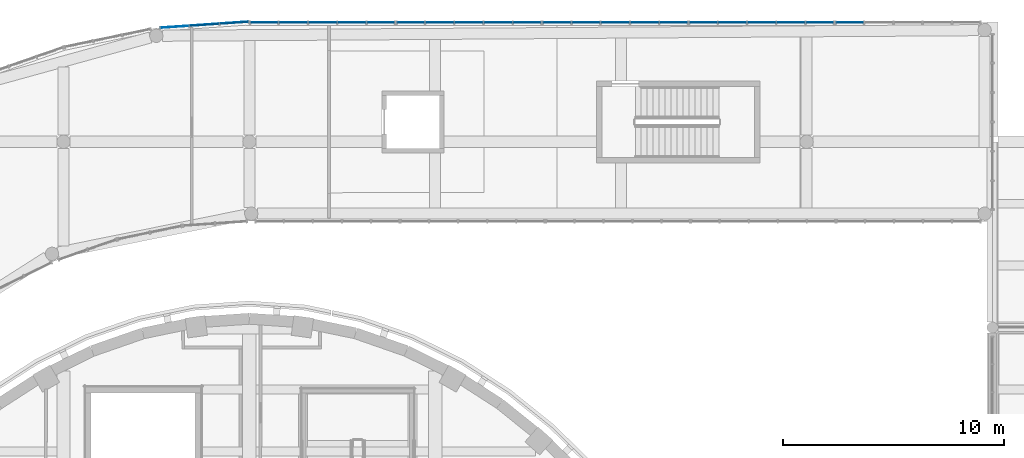
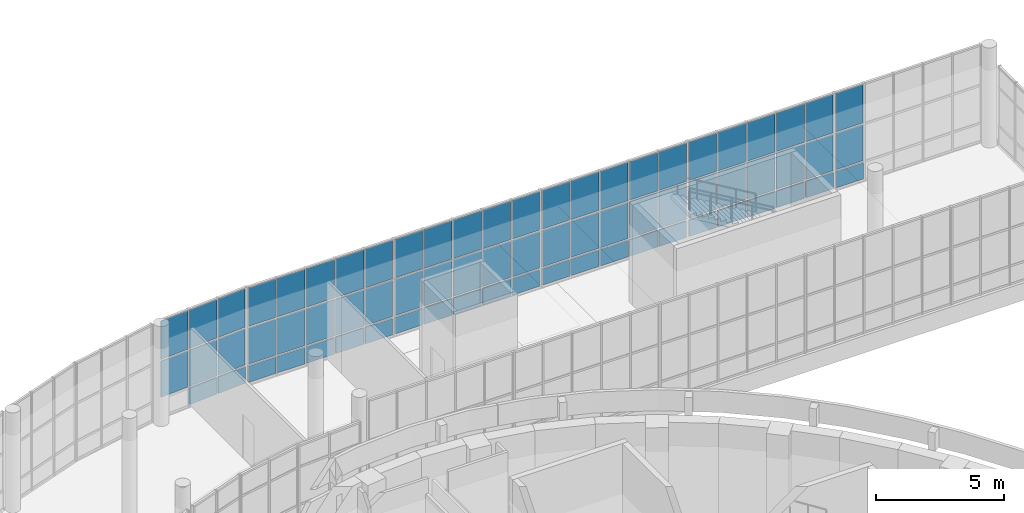
# One storey, part 55 of 119: 71 plates, 6 elements without a shape of their own.
"""IFC4 building model written with IfcOpenShell, lengths in metres."""

from ifc_helpers import new_model, si_unit, direction, frame, origin, origin_2d, place, context, subcontext, project, spatial, rectangle, extrude, material, layer, layer_set, type_object, element, aggregate, save


model = new_model("IFC4")

# Units and contexts
model_context = context("Model", 3, precision=1e-05, world=origin(), true_north=direction((0.0, 1.0)))
body_context = subcontext(model_context, "Body", "Model", "MODEL_VIEW")
ifc_project = project(units=[si_unit("LENGTHUNIT", "METRE"), si_unit("AREAUNIT", "SQUARE_METRE"), si_unit("VOLUMEUNIT", "CUBIC_METRE"), si_unit("PLANEANGLEUNIT", "RADIAN"), si_unit("MASSUNIT", "GRAM", prefix="KILO")], contexts=[model_context])

# Site, building, storey
site_placement = place(None, origin())
site = spatial("IfcSite", under=ifc_project, at=site_placement, CompositionType="ELEMENT")
building_placement = place(site_placement, origin())
building = spatial("IfcBuilding", under=site, at=building_placement, Name="Larchfold Concert Hall", CompositionType="ELEMENT")
storey_placement = place(building_placement, frame((0.0, 0.0, 4.800048828125)))
storey = spatial("IfcBuildingStorey", under=building, at=storey_placement, Name="L01", CompositionType="ELEMENT", Elevation=4.800048828125)

# Curtain wall, plates
ifc_material_1 = material(Name="Anodised graphite aluminium curtain wall", Category="aluminium")
ifc_layer_1 = layer(ifc_material_1, 0.14990234375)
ifc_layer_set_1 = layer_set([ifc_layer_1], Name="Anodised graphite aluminium curtain wall")
curtain_wall_type = type_object("IfcCurtainWallType", Name="Curtain wall WG", PredefinedType="NOTDEFINED", material=ifc_layer_set_1)
curtain_wall_1_placement = place(storey_placement, origin())
curtain_wall_1 = element("IfcCurtainWall", 1, at=curtain_wall_1_placement, inside=storey, type_object=curtain_wall_type, Name="Curtain wall CW0172", PredefinedType="NOTDEFINED")
ifc_material_2 = material(Name="Insulated glazing unit, glass", Category="glass")
ifc_layer_2 = layer(ifc_material_2, 0.028076171875)
ifc_layer_set_2 = layer_set([ifc_layer_2], Name="Insulated glazing unit, glass")
plate_type_1 = type_object("IfcPlateType", Name="Glass panel 28", PredefinedType="CURTAIN_PANEL", material=ifc_layer_set_2)
plate_1_placement = place(storey_placement, frame((69.7509765625, 132.0, 0.93994140625), z_axis=(0.0, 0.0, 1.0), x_axis=(-1.0, 0.0, 0.0)))
plate_1 = element("IfcPlate", 2, at=plate_1_placement, type_object=plate_type_1, Name="CW0172 panel 5.2", PredefinedType="CURTAIN_PANEL", context=body_context, shape_type="SweptSolid", body=[
    extrude(rectangle(XDim=1.233642578125, YDim=0.028076171875, at=origin_2d()), origin(), (0.0, 0.0, 1.0), 1.719970703125),
])
plate_2_placement = place(storey_placement, frame((69.7509765625, 132.0, 2.740234375), z_axis=(0.0, 0.0, 1.0), x_axis=(-1.0, 0.0, 0.0)))
plate_2 = element("IfcPlate", 3, at=plate_2_placement, type_object=plate_type_1, Name="CW0172 panel 5.3", PredefinedType="CURTAIN_PANEL", context=body_context, shape_type="SweptSolid", body=[
    extrude(rectangle(XDim=1.233642578125, YDim=0.028076171875, at=origin_2d()), origin(), (0.0, 0.0, 1.0), 1.829833984375),
])

curtain_wall_2_placement = place(storey_placement, origin())
curtain_wall_2 = element("IfcCurtainWall", 4, at=curtain_wall_2_placement, inside=storey, type_object=curtain_wall_type, Name="Curtain wall CW0173", PredefinedType="NOTDEFINED")
plate_3_placement = place(storey_placement, frame((68.3974609375, 132.0, 0.93994140625), z_axis=(0.0, 0.0, 1.0), x_axis=(-1.0, 0.0, 0.0)))
plate_3 = element("IfcPlate", 5, at=plate_3_placement, type_object=plate_type_1, Name="CW0173 panel 1.2", PredefinedType="CURTAIN_PANEL", context=body_context, shape_type="SweptSolid", body=[
    extrude(rectangle(XDim=1.233642578125, YDim=0.028076171875, at=origin_2d()), origin(), (0.0, 0.0, 1.0), 1.719970703125),
])
plate_4_placement = place(storey_placement, frame((68.3974609375, 132.0, 2.740234375), z_axis=(0.0, 0.0, 1.0), x_axis=(-1.0, 0.0, 0.0)))
plate_4 = element("IfcPlate", 6, at=plate_4_placement, type_object=plate_type_1, Name="CW0173 panel 1.3", PredefinedType="CURTAIN_PANEL", context=body_context, shape_type="SweptSolid", body=[
    extrude(rectangle(XDim=1.233642578125, YDim=0.028076171875, at=origin_2d()), origin(), (0.0, 0.0, 1.0), 1.829833984375),
])
plate_5_placement = place(storey_placement, frame((67.088623046875, 132.0, 0.93994140625), z_axis=(0.0, 0.0, 1.0), x_axis=(-1.0, 0.0, 0.0)))
plate_5 = element("IfcPlate", 7, at=plate_5_placement, type_object=plate_type_1, Name="CW0173 panel 2.2", PredefinedType="CURTAIN_PANEL", context=body_context, shape_type="SweptSolid", body=[
    extrude(rectangle(XDim=1.263671875, YDim=0.028076171875, at=origin_2d()), origin(), (0.0, 0.0, 1.0), 1.719970703125),
])
plate_6_placement = place(storey_placement, frame((67.088623046875, 132.0, 2.740234375), z_axis=(0.0, 0.0, 1.0), x_axis=(-1.0, 0.0, 0.0)))
plate_6 = element("IfcPlate", 8, at=plate_6_placement, type_object=plate_type_1, Name="CW0173 panel 2.3", PredefinedType="CURTAIN_PANEL", context=body_context, shape_type="SweptSolid", body=[
    extrude(rectangle(XDim=1.263671875, YDim=0.028076171875, at=origin_2d()), origin(), (0.0, 0.0, 1.0), 1.829833984375),
])
plate_7_placement = place(storey_placement, frame((65.764892578125, 132.0, 0.93994140625), z_axis=(0.0, 0.0, 1.0), x_axis=(-1.0, 0.0, 0.0)))
plate_7 = element("IfcPlate", 9, at=plate_7_placement, type_object=plate_type_1, Name="CW0173 panel 3.2", PredefinedType="CURTAIN_PANEL", context=body_context, shape_type="SweptSolid", body=[
    extrude(rectangle(XDim=1.263671875, YDim=0.028076171875, at=origin_2d()), origin(), (0.0, 0.0, 1.0), 1.719970703125),
])
plate_8_placement = place(storey_placement, frame((65.764892578125, 132.0, 2.740234375), z_axis=(0.0, 0.0, 1.0), x_axis=(-1.0, 0.0, 0.0)))
plate_8 = element("IfcPlate", 10, at=plate_8_placement, type_object=plate_type_1, Name="CW0173 panel 3.3", PredefinedType="CURTAIN_PANEL", context=body_context, shape_type="SweptSolid", body=[
    extrude(rectangle(XDim=1.263671875, YDim=0.028076171875, at=origin_2d()), origin(), (0.0, 0.0, 1.0), 1.829833984375),
])
plate_9_placement = place(storey_placement, frame((64.441162109375, 132.0, 0.93994140625), z_axis=(0.0, 0.0, 1.0), x_axis=(-1.0, 0.0, 0.0)))
plate_9 = element("IfcPlate", 11, at=plate_9_placement, type_object=plate_type_1, Name="CW0173 panel 4.2", PredefinedType="CURTAIN_PANEL", context=body_context, shape_type="SweptSolid", body=[
    extrude(rectangle(XDim=1.263671875, YDim=0.028076171875, at=origin_2d()), origin(), (0.0, 0.0, 1.0), 1.719970703125),
])
plate_10_placement = place(storey_placement, frame((64.441162109375, 132.0, 2.740234375), z_axis=(0.0, 0.0, 1.0), x_axis=(-1.0, 0.0, 0.0)))
plate_10 = element("IfcPlate", 12, at=plate_10_placement, type_object=plate_type_1, Name="CW0173 panel 4.3", PredefinedType="CURTAIN_PANEL", context=body_context, shape_type="SweptSolid", body=[
    extrude(rectangle(XDim=1.263671875, YDim=0.028076171875, at=origin_2d()), origin(), (0.0, 0.0, 1.0), 1.829833984375),
])
plate_11_placement = place(storey_placement, frame((63.13232421875, 132.0, 0.93994140625), z_axis=(0.0, 0.0, 1.0), x_axis=(-1.0, 0.0, 0.0)))
plate_11 = element("IfcPlate", 13, at=plate_11_placement, type_object=plate_type_1, Name="CW0173 panel 5.2", PredefinedType="CURTAIN_PANEL", context=body_context, shape_type="SweptSolid", body=[
    extrude(rectangle(XDim=1.233642578125, YDim=0.028076171875, at=origin_2d()), origin(), (0.0, 0.0, 1.0), 1.719970703125),
])
plate_12_placement = place(storey_placement, frame((63.13232421875, 132.0, 2.740234375), z_axis=(0.0, 0.0, 1.0), x_axis=(-1.0, 0.0, 0.0)))
plate_12 = element("IfcPlate", 14, at=plate_12_placement, type_object=plate_type_1, Name="CW0173 panel 5.3", PredefinedType="CURTAIN_PANEL", context=body_context, shape_type="SweptSolid", body=[
    extrude(rectangle(XDim=1.233642578125, YDim=0.028076171875, at=origin_2d()), origin(), (0.0, 0.0, 1.0), 1.829833984375),
])

curtain_wall_3_placement = place(storey_placement, origin())
curtain_wall_3 = element("IfcCurtainWall", 15, at=curtain_wall_3_placement, inside=storey, type_object=curtain_wall_type, Name="Curtain wall CW0174", PredefinedType="NOTDEFINED")
plate_13_placement = place(storey_placement, frame((61.77880859375, 132.0, 0.93994140625), z_axis=(0.0, 0.0, 1.0), x_axis=(-1.0, 0.0, 0.0)))
plate_13 = element("IfcPlate", 16, at=plate_13_placement, type_object=plate_type_1, Name="CW0174 panel 1.2", PredefinedType="CURTAIN_PANEL", context=body_context, shape_type="SweptSolid", body=[
    extrude(rectangle(XDim=1.233642578125, YDim=0.028076171875, at=origin_2d()), origin(), (0.0, 0.0, 1.0), 1.719970703125),
])
plate_14_placement = place(storey_placement, frame((61.77880859375, 132.0, 2.740234375), z_axis=(0.0, 0.0, 1.0), x_axis=(-1.0, 0.0, 0.0)))
plate_14 = element("IfcPlate", 17, at=plate_14_placement, type_object=plate_type_1, Name="CW0174 panel 1.3", PredefinedType="CURTAIN_PANEL", context=body_context, shape_type="SweptSolid", body=[
    extrude(rectangle(XDim=1.233642578125, YDim=0.028076171875, at=origin_2d()), origin(), (0.0, 0.0, 1.0), 1.829833984375),
])
plate_15_placement = place(storey_placement, frame((60.469970703125, 132.0, 0.93994140625), z_axis=(0.0, 0.0, 1.0), x_axis=(-1.0, 0.0, 0.0)))
plate_15 = element("IfcPlate", 18, at=plate_15_placement, type_object=plate_type_1, Name="CW0174 panel 2.2", PredefinedType="CURTAIN_PANEL", context=body_context, shape_type="SweptSolid", body=[
    extrude(rectangle(XDim=1.263671875, YDim=0.028076171875, at=origin_2d()), origin(), (0.0, 0.0, 1.0), 1.719970703125),
])
plate_16_placement = place(storey_placement, frame((60.469970703125, 132.0, 2.740234375), z_axis=(0.0, 0.0, 1.0), x_axis=(-1.0, 0.0, 0.0)))
plate_16 = element("IfcPlate", 19, at=plate_16_placement, type_object=plate_type_1, Name="CW0174 panel 2.3", PredefinedType="CURTAIN_PANEL", context=body_context, shape_type="SweptSolid", body=[
    extrude(rectangle(XDim=1.263671875, YDim=0.028076171875, at=origin_2d()), origin(), (0.0, 0.0, 1.0), 1.829833984375),
])
plate_17_placement = place(storey_placement, frame((59.146484375, 132.0, 0.93994140625), z_axis=(0.0, 0.0, 1.0), x_axis=(-1.0, 0.0, 0.0)))
plate_17 = element("IfcPlate", 20, at=plate_17_placement, type_object=plate_type_1, Name="CW0174 panel 3.2", PredefinedType="CURTAIN_PANEL", context=body_context, shape_type="SweptSolid", body=[
    extrude(rectangle(XDim=1.263671875, YDim=0.028076171875, at=origin_2d()), origin(), (0.0, 0.0, 1.0), 1.719970703125),
])
plate_18_placement = place(storey_placement, frame((59.146484375, 132.0, 2.740234375), z_axis=(0.0, 0.0, 1.0), x_axis=(-1.0, 0.0, 0.0)))
plate_18 = element("IfcPlate", 21, at=plate_18_placement, type_object=plate_type_1, Name="CW0174 panel 3.3", PredefinedType="CURTAIN_PANEL", context=body_context, shape_type="SweptSolid", body=[
    extrude(rectangle(XDim=1.263671875, YDim=0.028076171875, at=origin_2d()), origin(), (0.0, 0.0, 1.0), 1.829833984375),
])
plate_19_placement = place(storey_placement, frame((57.82275390625, 132.0, 0.93994140625), z_axis=(0.0, 0.0, 1.0), x_axis=(-1.0, 0.0, 0.0)))
plate_19 = element("IfcPlate", 22, at=plate_19_placement, type_object=plate_type_1, Name="CW0174 panel 4.2", PredefinedType="CURTAIN_PANEL", context=body_context, shape_type="SweptSolid", body=[
    extrude(rectangle(XDim=1.263671875, YDim=0.028076171875, at=origin_2d()), origin(), (0.0, 0.0, 1.0), 1.719970703125),
])
plate_20_placement = place(storey_placement, frame((57.82275390625, 132.0, 2.740234375), z_axis=(0.0, 0.0, 1.0), x_axis=(-1.0, 0.0, 0.0)))
plate_20 = element("IfcPlate", 23, at=plate_20_placement, type_object=plate_type_1, Name="CW0174 panel 4.3", PredefinedType="CURTAIN_PANEL", context=body_context, shape_type="SweptSolid", body=[
    extrude(rectangle(XDim=1.263671875, YDim=0.028076171875, at=origin_2d()), origin(), (0.0, 0.0, 1.0), 1.829833984375),
])
plate_21_placement = place(storey_placement, frame((56.513916015625, 132.0, 0.93994140625), z_axis=(0.0, 0.0, 1.0), x_axis=(-1.0, 0.0, 0.0)))
plate_21 = element("IfcPlate", 24, at=plate_21_placement, type_object=plate_type_1, Name="CW0174 panel 5.2", PredefinedType="CURTAIN_PANEL", context=body_context, shape_type="SweptSolid", body=[
    extrude(rectangle(XDim=1.233642578125, YDim=0.028076171875, at=origin_2d()), origin(), (0.0, 0.0, 1.0), 1.719970703125),
])
plate_22_placement = place(storey_placement, frame((56.513916015625, 132.0, 2.740234375), z_axis=(0.0, 0.0, 1.0), x_axis=(-1.0, 0.0, 0.0)))
plate_22 = element("IfcPlate", 25, at=plate_22_placement, type_object=plate_type_1, Name="CW0174 panel 5.3", PredefinedType="CURTAIN_PANEL", context=body_context, shape_type="SweptSolid", body=[
    extrude(rectangle(XDim=1.233642578125, YDim=0.028076171875, at=origin_2d()), origin(), (0.0, 0.0, 1.0), 1.829833984375),
])

curtain_wall_4_placement = place(storey_placement, origin())
curtain_wall_4 = element("IfcCurtainWall", 26, at=curtain_wall_4_placement, inside=storey, type_object=curtain_wall_type, Name="Curtain wall CW0175", PredefinedType="NOTDEFINED")
plate_23_placement = place(storey_placement, frame((55.160400390625, 132.0, 0.93994140625), z_axis=(0.0, 0.0, 1.0), x_axis=(-1.0, 0.0, 0.0)))
plate_23 = element("IfcPlate", 27, at=plate_23_placement, type_object=plate_type_1, Name="CW0175 panel 1.2", PredefinedType="CURTAIN_PANEL", context=body_context, shape_type="SweptSolid", body=[
    extrude(rectangle(XDim=1.233642578125, YDim=0.028076171875, at=origin_2d()), origin(), (0.0, 0.0, 1.0), 1.719970703125),
])
plate_24_placement = place(storey_placement, frame((55.160400390625, 132.0, 2.740234375), z_axis=(0.0, 0.0, 1.0), x_axis=(-1.0, 0.0, 0.0)))
plate_24 = element("IfcPlate", 28, at=plate_24_placement, type_object=plate_type_1, Name="CW0175 panel 1.3", PredefinedType="CURTAIN_PANEL", context=body_context, shape_type="SweptSolid", body=[
    extrude(rectangle(XDim=1.233642578125, YDim=0.028076171875, at=origin_2d()), origin(), (0.0, 0.0, 1.0), 1.829833984375),
])
plate_25_placement = place(storey_placement, frame((53.8515625, 132.0, 0.93994140625), z_axis=(0.0, 0.0, 1.0), x_axis=(-1.0, 0.0, 0.0)))
plate_25 = element("IfcPlate", 29, at=plate_25_placement, type_object=plate_type_1, Name="CW0175 panel 2.2", PredefinedType="CURTAIN_PANEL", context=body_context, shape_type="SweptSolid", body=[
    extrude(rectangle(XDim=1.263671875, YDim=0.028076171875, at=origin_2d()), origin(), (0.0, 0.0, 1.0), 1.719970703125),
])
plate_26_placement = place(storey_placement, frame((53.8515625, 132.0, 2.740234375), z_axis=(0.0, 0.0, 1.0), x_axis=(-1.0, 0.0, 0.0)))
plate_26 = element("IfcPlate", 30, at=plate_26_placement, type_object=plate_type_1, Name="CW0175 panel 2.3", PredefinedType="CURTAIN_PANEL", context=body_context, shape_type="SweptSolid", body=[
    extrude(rectangle(XDim=1.263671875, YDim=0.028076171875, at=origin_2d()), origin(), (0.0, 0.0, 1.0), 1.829833984375),
])
plate_27_placement = place(storey_placement, frame((52.52783203125, 132.0, 0.93994140625), z_axis=(0.0, 0.0, 1.0), x_axis=(-1.0, 0.0, 0.0)))
plate_27 = element("IfcPlate", 31, at=plate_27_placement, type_object=plate_type_1, Name="CW0175 panel 3.2", PredefinedType="CURTAIN_PANEL", context=body_context, shape_type="SweptSolid", body=[
    extrude(rectangle(XDim=1.263671875, YDim=0.028076171875, at=origin_2d()), origin(), (0.0, 0.0, 1.0), 1.719970703125),
])
plate_28_placement = place(storey_placement, frame((52.52783203125, 132.0, 2.740234375), z_axis=(0.0, 0.0, 1.0), x_axis=(-1.0, 0.0, 0.0)))
plate_28 = element("IfcPlate", 32, at=plate_28_placement, type_object=plate_type_1, Name="CW0175 panel 3.3", PredefinedType="CURTAIN_PANEL", context=body_context, shape_type="SweptSolid", body=[
    extrude(rectangle(XDim=1.263671875, YDim=0.028076171875, at=origin_2d()), origin(), (0.0, 0.0, 1.0), 1.829833984375),
])
plate_29_placement = place(storey_placement, frame((51.2041015625, 132.0, 0.93994140625), z_axis=(0.0, 0.0, 1.0), x_axis=(-1.0, 0.0, 0.0)))
plate_29 = element("IfcPlate", 33, at=plate_29_placement, type_object=plate_type_1, Name="CW0175 panel 4.2", PredefinedType="CURTAIN_PANEL", context=body_context, shape_type="SweptSolid", body=[
    extrude(rectangle(XDim=1.263671875, YDim=0.028076171875, at=origin_2d()), origin(), (0.0, 0.0, 1.0), 1.719970703125),
])
plate_30_placement = place(storey_placement, frame((51.2041015625, 132.0, 2.740234375), z_axis=(0.0, 0.0, 1.0), x_axis=(-1.0, 0.0, 0.0)))
plate_30 = element("IfcPlate", 34, at=plate_30_placement, type_object=plate_type_1, Name="CW0175 panel 4.3", PredefinedType="CURTAIN_PANEL", context=body_context, shape_type="SweptSolid", body=[
    extrude(rectangle(XDim=1.263671875, YDim=0.028076171875, at=origin_2d()), origin(), (0.0, 0.0, 1.0), 1.829833984375),
])
plate_31_placement = place(storey_placement, frame((49.895263671875, 132.0, 0.93994140625), z_axis=(0.0, 0.0, 1.0), x_axis=(-1.0, 0.0, 0.0)))
plate_31 = element("IfcPlate", 35, at=plate_31_placement, type_object=plate_type_1, Name="CW0175 panel 5.2", PredefinedType="CURTAIN_PANEL", context=body_context, shape_type="SweptSolid", body=[
    extrude(rectangle(XDim=1.233642578125, YDim=0.028076171875, at=origin_2d()), origin(), (0.0, 0.0, 1.0), 1.719970703125),
])
plate_32_placement = place(storey_placement, frame((49.895263671875, 132.0, 2.740234375), z_axis=(0.0, 0.0, 1.0), x_axis=(-1.0, 0.0, 0.0)))
plate_32 = element("IfcPlate", 36, at=plate_32_placement, type_object=plate_type_1, Name="CW0175 panel 5.3", PredefinedType="CURTAIN_PANEL", context=body_context, shape_type="SweptSolid", body=[
    extrude(rectangle(XDim=1.233642578125, YDim=0.028076171875, at=origin_2d()), origin(), (0.0, 0.0, 1.0), 1.829833984375),
])

curtain_wall_5_placement = place(storey_placement, origin())
curtain_wall_5 = element("IfcCurtainWall", 37, at=curtain_wall_5_placement, inside=storey, type_object=curtain_wall_type, Name="Curtain wall CW0176", PredefinedType="NOTDEFINED")
plate_33_placement = place(storey_placement, frame((48.541748046875, 132.0, 0.93994140625), z_axis=(0.0, 0.0, 1.0), x_axis=(-1.0, 0.0, 0.0)))
plate_33 = element("IfcPlate", 38, at=plate_33_placement, type_object=plate_type_1, Name="CW0176 panel 1.2", PredefinedType="CURTAIN_PANEL", context=body_context, shape_type="SweptSolid", body=[
    extrude(rectangle(XDim=1.233642578125, YDim=0.028076171875, at=origin_2d()), origin(), (0.0, 0.0, 1.0), 1.719970703125),
])
plate_34_placement = place(storey_placement, frame((48.541748046875, 132.0, 2.740234375), z_axis=(0.0, 0.0, 1.0), x_axis=(-1.0, 0.0, 0.0)))
plate_34 = element("IfcPlate", 39, at=plate_34_placement, type_object=plate_type_1, Name="CW0176 panel 1.3", PredefinedType="CURTAIN_PANEL", context=body_context, shape_type="SweptSolid", body=[
    extrude(rectangle(XDim=1.233642578125, YDim=0.028076171875, at=origin_2d()), origin(), (0.0, 0.0, 1.0), 1.829833984375),
])
plate_35_placement = place(storey_placement, frame((47.23291015625, 132.0, 0.93994140625), z_axis=(0.0, 0.0, 1.0), x_axis=(-1.0, 0.0, 0.0)))
plate_35 = element("IfcPlate", 40, at=plate_35_placement, type_object=plate_type_1, Name="CW0176 panel 2.2", PredefinedType="CURTAIN_PANEL", context=body_context, shape_type="SweptSolid", body=[
    extrude(rectangle(XDim=1.263671875, YDim=0.028076171875, at=origin_2d()), origin(), (0.0, 0.0, 1.0), 1.719970703125),
])
plate_36_placement = place(storey_placement, frame((47.23291015625, 132.0, 2.740234375), z_axis=(0.0, 0.0, 1.0), x_axis=(-1.0, 0.0, 0.0)))
plate_36 = element("IfcPlate", 41, at=plate_36_placement, type_object=plate_type_1, Name="CW0176 panel 2.3", PredefinedType="CURTAIN_PANEL", context=body_context, shape_type="SweptSolid", body=[
    extrude(rectangle(XDim=1.263671875, YDim=0.028076171875, at=origin_2d()), origin(), (0.0, 0.0, 1.0), 1.829833984375),
])
plate_37_placement = place(storey_placement, frame((45.909423828125, 132.0, 0.93994140625), z_axis=(0.0, 0.0, 1.0), x_axis=(-1.0, 0.0, 0.0)))
plate_37 = element("IfcPlate", 42, at=plate_37_placement, type_object=plate_type_1, Name="CW0176 panel 3.2", PredefinedType="CURTAIN_PANEL", context=body_context, shape_type="SweptSolid", body=[
    extrude(rectangle(XDim=1.263671875, YDim=0.028076171875, at=origin_2d()), origin(), (0.0, 0.0, 1.0), 1.719970703125),
])
plate_38_placement = place(storey_placement, frame((45.909423828125, 132.0, 2.740234375), z_axis=(0.0, 0.0, 1.0), x_axis=(-1.0, 0.0, 0.0)))
plate_38 = element("IfcPlate", 43, at=plate_38_placement, type_object=plate_type_1, Name="CW0176 panel 3.3", PredefinedType="CURTAIN_PANEL", context=body_context, shape_type="SweptSolid", body=[
    extrude(rectangle(XDim=1.263671875, YDim=0.028076171875, at=origin_2d()), origin(), (0.0, 0.0, 1.0), 1.829833984375),
])
plate_39_placement = place(storey_placement, frame((44.585693359375, 132.0, 0.93994140625), z_axis=(0.0, 0.0, 1.0), x_axis=(-1.0, 0.0, 0.0)))
plate_39 = element("IfcPlate", 44, at=plate_39_placement, type_object=plate_type_1, Name="CW0176 panel 4.2", PredefinedType="CURTAIN_PANEL", context=body_context, shape_type="SweptSolid", body=[
    extrude(rectangle(XDim=1.263671875, YDim=0.028076171875, at=origin_2d()), origin(), (0.0, 0.0, 1.0), 1.719970703125),
])
plate_40_placement = place(storey_placement, frame((44.585693359375, 132.0, 2.740234375), z_axis=(0.0, 0.0, 1.0), x_axis=(-1.0, 0.0, 0.0)))
plate_40 = element("IfcPlate", 45, at=plate_40_placement, type_object=plate_type_1, Name="CW0176 panel 4.3", PredefinedType="CURTAIN_PANEL", context=body_context, shape_type="SweptSolid", body=[
    extrude(rectangle(XDim=1.263671875, YDim=0.028076171875, at=origin_2d()), origin(), (0.0, 0.0, 1.0), 1.829833984375),
])
plate_41_placement = place(storey_placement, frame((43.27685546875, 132.0, 0.93994140625), z_axis=(0.0, 0.0, 1.0), x_axis=(-1.0, 0.0, 0.0)))
plate_41 = element("IfcPlate", 46, at=plate_41_placement, type_object=plate_type_1, Name="CW0176 panel 5.2", PredefinedType="CURTAIN_PANEL", context=body_context, shape_type="SweptSolid", body=[
    extrude(rectangle(XDim=1.233642578125, YDim=0.028076171875, at=origin_2d()), origin(), (0.0, 0.0, 1.0), 1.719970703125),
])
plate_42_placement = place(storey_placement, frame((43.27685546875, 132.0, 2.740234375), z_axis=(0.0, 0.0, 1.0), x_axis=(-1.0, 0.0, 0.0)))
plate_42 = element("IfcPlate", 47, at=plate_42_placement, type_object=plate_type_1, Name="CW0176 panel 5.3", PredefinedType="CURTAIN_PANEL", context=body_context, shape_type="SweptSolid", body=[
    extrude(rectangle(XDim=1.233642578125, YDim=0.028076171875, at=origin_2d()), origin(), (0.0, 0.0, 1.0), 1.829833984375),
])

curtain_wall_6_placement = place(storey_placement, origin())
curtain_wall_6 = element("IfcCurtainWall", 48, at=curtain_wall_6_placement, inside=storey, type_object=curtain_wall_type, Name="Curtain wall CW0177", PredefinedType="NOTDEFINED")
plate_43_placement = place(storey_placement, frame((41.906005859375, 131.984130859375, 0.93994140625), z_axis=(0.0, 0.0, 1.0), x_axis=(-0.997629903911, -0.068808246767, 0.0)))
plate_43 = element("IfcPlate", 49, at=plate_43_placement, type_object=plate_type_1, Name="CW0177 panel 1.2", PredefinedType="CURTAIN_PANEL", context=body_context, shape_type="SweptSolid", body=[
    extrude(rectangle(XDim=1.271240234375, YDim=0.028076171875, at=origin_2d()), origin(), (0.0, 0.0, 1.0), 1.719970703125),
])
plate_44_placement = place(storey_placement, frame((41.906005859375, 131.984130859375, 2.740234375), z_axis=(0.0, 0.0, 1.0), x_axis=(-0.997629903911, -0.068808246767, 0.0)))
plate_44 = element("IfcPlate", 50, at=plate_44_placement, type_object=plate_type_1, Name="CW0177 panel 1.3", PredefinedType="CURTAIN_PANEL", context=body_context, shape_type="SweptSolid", body=[
    extrude(rectangle(XDim=1.271240234375, YDim=0.028076171875, at=origin_2d()), origin(), (0.0, 0.0, 1.0), 1.829833984375),
])
plate_45_placement = place(storey_placement, frame((40.56298828125, 131.891357421875, 0.93994140625), z_axis=(0.0, 0.0, 1.0), x_axis=(-0.997629903911, -0.068808246767, 0.0)))
plate_45 = element("IfcPlate", 51, at=plate_45_placement, type_object=plate_type_1, Name="CW0177 panel 2.2", PredefinedType="CURTAIN_PANEL", context=body_context, shape_type="SweptSolid", body=[
    extrude(rectangle(XDim=1.30126953125, YDim=0.028076171875, at=origin_2d()), origin(), (0.0, 0.0, 1.0), 1.719970703125),
])
plate_46_placement = place(storey_placement, frame((40.56298828125, 131.891357421875, 2.740234375), z_axis=(0.0, 0.0, 1.0), x_axis=(-0.997629903911, -0.068808246767, 0.0)))
plate_46 = element("IfcPlate", 52, at=plate_46_placement, type_object=plate_type_1, Name="CW0177 panel 2.3", PredefinedType="CURTAIN_PANEL", context=body_context, shape_type="SweptSolid", body=[
    extrude(rectangle(XDim=1.30126953125, YDim=0.028076171875, at=origin_2d()), origin(), (0.0, 0.0, 1.0), 1.829833984375),
])
plate_47_placement = place(storey_placement, frame((39.219970703125, 131.798828125, 0.93994140625), z_axis=(0.0, 0.0, 1.0), x_axis=(-0.997629903911, -0.068808246767, 0.0)))
plate_47 = element("IfcPlate", 53, at=plate_47_placement, type_object=plate_type_1, Name="CW0177 panel 3.2", PredefinedType="CURTAIN_PANEL", context=body_context, shape_type="SweptSolid", body=[
    extrude(rectangle(XDim=1.271240234375, YDim=0.028076171875, at=origin_2d()), origin(), (0.0, 0.0, 1.0), 1.719970703125),
])
plate_48_placement = place(storey_placement, frame((39.219970703125, 131.798828125, 2.740234375), z_axis=(0.0, 0.0, 1.0), x_axis=(-0.997629903911, -0.068808246767, 0.0)))
plate_48 = element("IfcPlate", 54, at=plate_48_placement, type_object=plate_type_1, Name="CW0177 panel 3.3", PredefinedType="CURTAIN_PANEL", context=body_context, shape_type="SweptSolid", body=[
    extrude(rectangle(XDim=1.271240234375, YDim=0.028076171875, at=origin_2d()), origin(), (0.0, 0.0, 1.0), 1.829833984375),
])

# Plate
ifc_material_3 = material(Name="White insulated panel")
ifc_layer_3 = layer(ifc_material_3, 0.06005859375)
ifc_layer_set_3 = layer_set([ifc_layer_3], Name="White insulated panel")
plate_type_2 = type_object("IfcPlateType", Name="Insulated spandrel panel 60", PredefinedType="CURTAIN_PANEL", material=ifc_layer_set_3)
plate_49_placement = place(storey_placement, frame((69.7509765625, 132.0, 0.080078125), z_axis=(0.0, 0.0, 1.0), x_axis=(-1.0, 0.0, 0.0)))
plate_49 = element("IfcPlate", 55, at=plate_49_placement, type_object=plate_type_2, Name="CW0172 panel 5.1", PredefinedType="CURTAIN_PANEL", context=body_context, shape_type="SweptSolid", body=[
    extrude(rectangle(XDim=1.233642578125, YDim=0.06005859375, at=origin_2d()), origin(), (0.0, 0.0, 1.0), 0.77978515625),
])

aggregate(curtain_wall_1, [plate_49, plate_1, plate_2])

plate_50_placement = place(storey_placement, frame((68.3974609375, 132.0, 0.080078125), z_axis=(0.0, 0.0, 1.0), x_axis=(-1.0, 0.0, 0.0)))
plate_50 = element("IfcPlate", 56, at=plate_50_placement, type_object=plate_type_2, Name="CW0173 panel 1.1", PredefinedType="CURTAIN_PANEL", context=body_context, shape_type="SweptSolid", body=[
    extrude(rectangle(XDim=1.233642578125, YDim=0.06005859375, at=origin_2d()), origin(), (0.0, 0.0, 1.0), 0.77978515625),
])

plate_51_placement = place(storey_placement, frame((67.088623046875, 132.0, 0.080078125), z_axis=(0.0, 0.0, 1.0), x_axis=(-1.0, 0.0, 0.0)))
plate_51 = element("IfcPlate", 57, at=plate_51_placement, type_object=plate_type_2, Name="CW0173 panel 2.1", PredefinedType="CURTAIN_PANEL", context=body_context, shape_type="SweptSolid", body=[
    extrude(rectangle(XDim=1.263671875, YDim=0.06005859375, at=origin_2d()), origin(), (0.0, 0.0, 1.0), 0.77978515625),
])

plate_52_placement = place(storey_placement, frame((65.764892578125, 132.0, 0.080078125), z_axis=(0.0, 0.0, 1.0), x_axis=(-1.0, 0.0, 0.0)))
plate_52 = element("IfcPlate", 58, at=plate_52_placement, type_object=plate_type_2, Name="CW0173 panel 3.1", PredefinedType="CURTAIN_PANEL", context=body_context, shape_type="SweptSolid", body=[
    extrude(rectangle(XDim=1.263671875, YDim=0.06005859375, at=origin_2d()), origin(), (0.0, 0.0, 1.0), 0.77978515625),
])

plate_53_placement = place(storey_placement, frame((64.441162109375, 132.0, 0.080078125), z_axis=(0.0, 0.0, 1.0), x_axis=(-1.0, 0.0, 0.0)))
plate_53 = element("IfcPlate", 59, at=plate_53_placement, type_object=plate_type_2, Name="CW0173 panel 4.1", PredefinedType="CURTAIN_PANEL", context=body_context, shape_type="SweptSolid", body=[
    extrude(rectangle(XDim=1.263671875, YDim=0.06005859375, at=origin_2d()), origin(), (0.0, 0.0, 1.0), 0.77978515625),
])

plate_54_placement = place(storey_placement, frame((63.13232421875, 132.0, 0.080078125), z_axis=(0.0, 0.0, 1.0), x_axis=(-1.0, 0.0, 0.0)))
plate_54 = element("IfcPlate", 60, at=plate_54_placement, type_object=plate_type_2, Name="CW0173 panel 5.1", PredefinedType="CURTAIN_PANEL", context=body_context, shape_type="SweptSolid", body=[
    extrude(rectangle(XDim=1.233642578125, YDim=0.06005859375, at=origin_2d()), origin(), (0.0, 0.0, 1.0), 0.77978515625),
])

aggregate(curtain_wall_2, [plate_50, plate_3, plate_4, plate_51, plate_5, plate_6, plate_52, plate_7, plate_8, plate_53, plate_9, plate_10, plate_54, plate_11, plate_12])

plate_55_placement = place(storey_placement, frame((61.77880859375, 132.0, 0.080078125), z_axis=(0.0, 0.0, 1.0), x_axis=(-1.0, 0.0, 0.0)))
plate_55 = element("IfcPlate", 61, at=plate_55_placement, type_object=plate_type_2, Name="CW0174 panel 1.1", PredefinedType="CURTAIN_PANEL", context=body_context, shape_type="SweptSolid", body=[
    extrude(rectangle(XDim=1.233642578125, YDim=0.06005859375, at=origin_2d()), origin(), (0.0, 0.0, 1.0), 0.77978515625),
])

plate_56_placement = place(storey_placement, frame((60.469970703125, 132.0, 0.080078125), z_axis=(0.0, 0.0, 1.0), x_axis=(-1.0, 0.0, 0.0)))
plate_56 = element("IfcPlate", 62, at=plate_56_placement, type_object=plate_type_2, Name="CW0174 panel 2.1", PredefinedType="CURTAIN_PANEL", context=body_context, shape_type="SweptSolid", body=[
    extrude(rectangle(XDim=1.263671875, YDim=0.06005859375, at=origin_2d()), origin(), (0.0, 0.0, 1.0), 0.77978515625),
])

plate_57_placement = place(storey_placement, frame((59.146484375, 132.0, 0.080078125), z_axis=(0.0, 0.0, 1.0), x_axis=(-1.0, 0.0, 0.0)))
plate_57 = element("IfcPlate", 63, at=plate_57_placement, type_object=plate_type_2, Name="CW0174 panel 3.1", PredefinedType="CURTAIN_PANEL", context=body_context, shape_type="SweptSolid", body=[
    extrude(rectangle(XDim=1.263671875, YDim=0.06005859375, at=origin_2d()), origin(), (0.0, 0.0, 1.0), 0.77978515625),
])

plate_58_placement = place(storey_placement, frame((57.82275390625, 132.0, 0.080078125), z_axis=(0.0, 0.0, 1.0), x_axis=(-1.0, 0.0, 0.0)))
plate_58 = element("IfcPlate", 64, at=plate_58_placement, type_object=plate_type_2, Name="CW0174 panel 4.1", PredefinedType="CURTAIN_PANEL", context=body_context, shape_type="SweptSolid", body=[
    extrude(rectangle(XDim=1.263671875, YDim=0.06005859375, at=origin_2d()), origin(), (0.0, 0.0, 1.0), 0.77978515625),
])

plate_59_placement = place(storey_placement, frame((56.513916015625, 132.0, 0.080078125), z_axis=(0.0, 0.0, 1.0), x_axis=(-1.0, 0.0, 0.0)))
plate_59 = element("IfcPlate", 65, at=plate_59_placement, type_object=plate_type_2, Name="CW0174 panel 5.1", PredefinedType="CURTAIN_PANEL", context=body_context, shape_type="SweptSolid", body=[
    extrude(rectangle(XDim=1.233642578125, YDim=0.06005859375, at=origin_2d()), origin(), (0.0, 0.0, 1.0), 0.77978515625),
])

aggregate(curtain_wall_3, [plate_55, plate_13, plate_14, plate_56, plate_15, plate_16, plate_57, plate_17, plate_18, plate_58, plate_19, plate_20, plate_59, plate_21, plate_22])

plate_60_placement = place(storey_placement, frame((55.160400390625, 132.0, 0.080078125), z_axis=(0.0, 0.0, 1.0), x_axis=(-1.0, 0.0, 0.0)))
plate_60 = element("IfcPlate", 66, at=plate_60_placement, type_object=plate_type_2, Name="CW0175 panel 1.1", PredefinedType="CURTAIN_PANEL", context=body_context, shape_type="SweptSolid", body=[
    extrude(rectangle(XDim=1.233642578125, YDim=0.06005859375, at=origin_2d()), origin(), (0.0, 0.0, 1.0), 0.77978515625),
])

plate_61_placement = place(storey_placement, frame((53.8515625, 132.0, 0.080078125), z_axis=(0.0, 0.0, 1.0), x_axis=(-1.0, 0.0, 0.0)))
plate_61 = element("IfcPlate", 67, at=plate_61_placement, type_object=plate_type_2, Name="CW0175 panel 2.1", PredefinedType="CURTAIN_PANEL", context=body_context, shape_type="SweptSolid", body=[
    extrude(rectangle(XDim=1.263671875, YDim=0.06005859375, at=origin_2d()), origin(), (0.0, 0.0, 1.0), 0.77978515625),
])

plate_62_placement = place(storey_placement, frame((52.52783203125, 132.0, 0.080078125), z_axis=(0.0, 0.0, 1.0), x_axis=(-1.0, 0.0, 0.0)))
plate_62 = element("IfcPlate", 68, at=plate_62_placement, type_object=plate_type_2, Name="CW0175 panel 3.1", PredefinedType="CURTAIN_PANEL", context=body_context, shape_type="SweptSolid", body=[
    extrude(rectangle(XDim=1.263671875, YDim=0.06005859375, at=origin_2d()), origin(), (0.0, 0.0, 1.0), 0.77978515625),
])

plate_63_placement = place(storey_placement, frame((51.2041015625, 132.0, 0.080078125), z_axis=(0.0, 0.0, 1.0), x_axis=(-1.0, 0.0, 0.0)))
plate_63 = element("IfcPlate", 69, at=plate_63_placement, type_object=plate_type_2, Name="CW0175 panel 4.1", PredefinedType="CURTAIN_PANEL", context=body_context, shape_type="SweptSolid", body=[
    extrude(rectangle(XDim=1.263671875, YDim=0.06005859375, at=origin_2d()), origin(), (0.0, 0.0, 1.0), 0.77978515625),
])

plate_64_placement = place(storey_placement, frame((49.895263671875, 132.0, 0.080078125), z_axis=(0.0, 0.0, 1.0), x_axis=(-1.0, 0.0, 0.0)))
plate_64 = element("IfcPlate", 70, at=plate_64_placement, type_object=plate_type_2, Name="CW0175 panel 5.1", PredefinedType="CURTAIN_PANEL", context=body_context, shape_type="SweptSolid", body=[
    extrude(rectangle(XDim=1.233642578125, YDim=0.06005859375, at=origin_2d()), origin(), (0.0, 0.0, 1.0), 0.77978515625),
])

aggregate(curtain_wall_4, [plate_60, plate_23, plate_24, plate_61, plate_25, plate_26, plate_62, plate_27, plate_28, plate_63, plate_29, plate_30, plate_64, plate_31, plate_32])

plate_65_placement = place(storey_placement, frame((48.541748046875, 132.0, 0.080078125), z_axis=(0.0, 0.0, 1.0), x_axis=(-1.0, 0.0, 0.0)))
plate_65 = element("IfcPlate", 71, at=plate_65_placement, type_object=plate_type_2, Name="CW0176 panel 1.1", PredefinedType="CURTAIN_PANEL", context=body_context, shape_type="SweptSolid", body=[
    extrude(rectangle(XDim=1.233642578125, YDim=0.06005859375, at=origin_2d()), origin(), (0.0, 0.0, 1.0), 0.77978515625),
])

plate_66_placement = place(storey_placement, frame((47.23291015625, 132.0, 0.080078125), z_axis=(0.0, 0.0, 1.0), x_axis=(-1.0, 0.0, 0.0)))
plate_66 = element("IfcPlate", 72, at=plate_66_placement, type_object=plate_type_2, Name="CW0176 panel 2.1", PredefinedType="CURTAIN_PANEL", context=body_context, shape_type="SweptSolid", body=[
    extrude(rectangle(XDim=1.263671875, YDim=0.06005859375, at=origin_2d()), origin(), (0.0, 0.0, 1.0), 0.77978515625),
])

plate_67_placement = place(storey_placement, frame((45.909423828125, 132.0, 0.080078125), z_axis=(0.0, 0.0, 1.0), x_axis=(-1.0, 0.0, 0.0)))
plate_67 = element("IfcPlate", 73, at=plate_67_placement, type_object=plate_type_2, Name="CW0176 panel 3.1", PredefinedType="CURTAIN_PANEL", context=body_context, shape_type="SweptSolid", body=[
    extrude(rectangle(XDim=1.263671875, YDim=0.06005859375, at=origin_2d()), origin(), (0.0, 0.0, 1.0), 0.77978515625),
])

plate_68_placement = place(storey_placement, frame((44.585693359375, 132.0, 0.080078125), z_axis=(0.0, 0.0, 1.0), x_axis=(-1.0, 0.0, 0.0)))
plate_68 = element("IfcPlate", 74, at=plate_68_placement, type_object=plate_type_2, Name="CW0176 panel 4.1", PredefinedType="CURTAIN_PANEL", context=body_context, shape_type="SweptSolid", body=[
    extrude(rectangle(XDim=1.263671875, YDim=0.06005859375, at=origin_2d()), origin(), (0.0, 0.0, 1.0), 0.77978515625),
])

plate_69_placement = place(storey_placement, frame((43.27685546875, 132.0, 0.080078125), z_axis=(0.0, 0.0, 1.0), x_axis=(-1.0, 0.0, 0.0)))
plate_69 = element("IfcPlate", 75, at=plate_69_placement, type_object=plate_type_2, Name="CW0176 panel 5.1", PredefinedType="CURTAIN_PANEL", context=body_context, shape_type="SweptSolid", body=[
    extrude(rectangle(XDim=1.233642578125, YDim=0.06005859375, at=origin_2d()), origin(), (0.0, 0.0, 1.0), 0.77978515625),
])

aggregate(curtain_wall_5, [plate_65, plate_33, plate_34, plate_66, plate_35, plate_36, plate_67, plate_37, plate_38, plate_68, plate_39, plate_40, plate_69, plate_41, plate_42])

plate_70_placement = place(storey_placement, frame((41.906005859375, 131.984130859375, 0.080078125), z_axis=(0.0, 0.0, 1.0), x_axis=(-0.997629903911, -0.068808246767, 0.0)))
plate_70 = element("IfcPlate", 76, at=plate_70_placement, type_object=plate_type_2, Name="CW0177 panel 1.1", PredefinedType="CURTAIN_PANEL", context=body_context, shape_type="SweptSolid", body=[
    extrude(rectangle(XDim=1.271240234375, YDim=0.06005859375, at=origin_2d()), origin(), (0.0, 0.0, 1.0), 0.77978515625),
])

plate_71_placement = place(storey_placement, frame((40.56298828125, 131.891357421875, 0.080078125), z_axis=(0.0, 0.0, 1.0), x_axis=(-0.997629903911, -0.068808246767, 0.0)))
plate_71 = element("IfcPlate", 77, at=plate_71_placement, type_object=plate_type_2, Name="CW0177 panel 2.1", PredefinedType="CURTAIN_PANEL", context=body_context, shape_type="SweptSolid", body=[
    extrude(rectangle(XDim=1.30126953125, YDim=0.06005859375, at=origin_2d()), origin(), (0.0, 0.0, 1.0), 0.77978515625),
])

aggregate(curtain_wall_6, [plate_70, plate_43, plate_44, plate_71, plate_45, plate_46, plate_47, plate_48])

save(model, "model.ifc")
